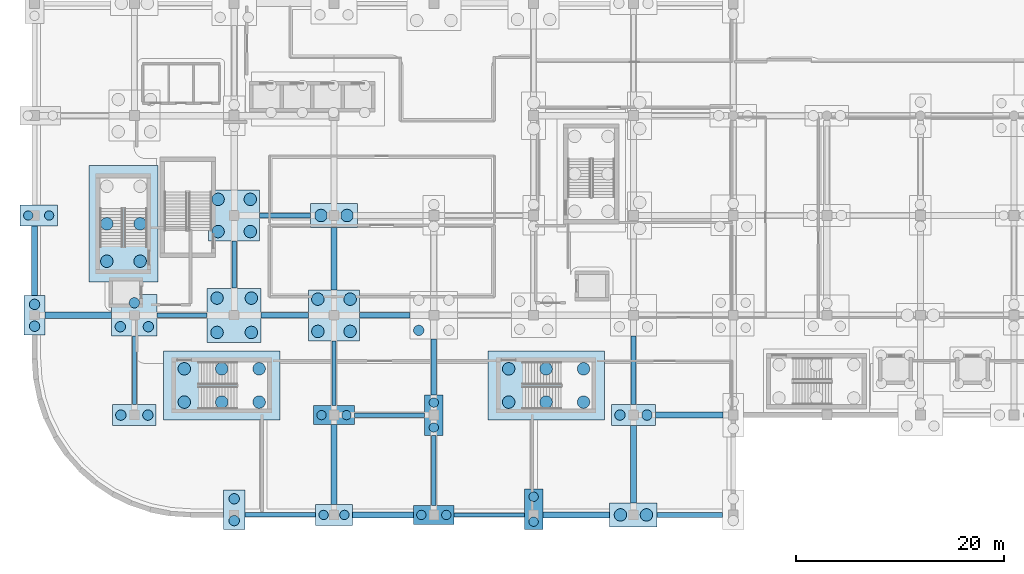
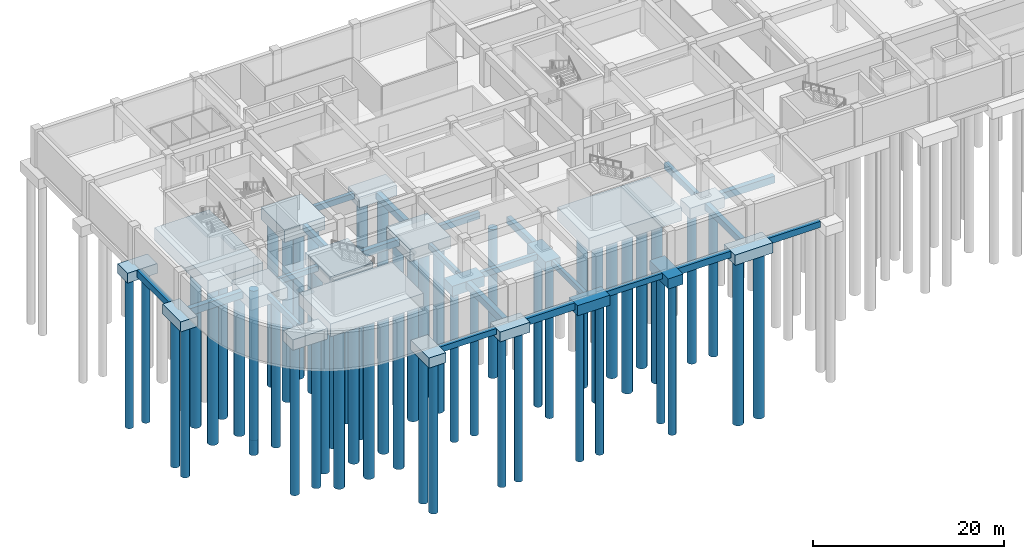
# One storey, part 1 of 47: 56 piles, 41 footings.
"""IFC4 building model written with IfcOpenShell, lengths in metres."""

from ifc_helpers import new_model, si_unit, direction, frame, origin, origin_2d, place, context, subcontext, project, spatial, rectangle, circle, extrude, material, material_profile, profile_set, type_object, element, save


model = new_model("IFC4")

# Units and contexts
model_context = context("Model", 3, precision=1e-05, world=origin(), true_north=direction((0.0, 1.0)))
body_context = subcontext(model_context, "Body", "Model", "MODEL_VIEW")
ifc_project = project(units=[si_unit("LENGTHUNIT", "METRE"), si_unit("AREAUNIT", "SQUARE_METRE"), si_unit("VOLUMEUNIT", "CUBIC_METRE"), si_unit("PLANEANGLEUNIT", "RADIAN"), si_unit("MASSUNIT", "GRAM", prefix="KILO")], contexts=[model_context])

# Site, building, storey
site_placement = place(None, origin())
site = spatial("IfcSite", under=ifc_project, at=site_placement, CompositionType="ELEMENT")
building_placement = place(site_placement, origin())
building = spatial("IfcBuilding", under=site, at=building_placement, Name="Cendralis Terraced Arcade", CompositionType="ELEMENT")
storey_placement = place(building_placement, frame((0.0, 0.0, -4.800048828125)))
storey = spatial("IfcBuildingStorey", under=building, at=storey_placement, Name="B1", CompositionType="ELEMENT", Elevation=-4.800048828125)

# Footings
ifc_material = material(Name="Concrete f'c 35 MPa", Category="concrete")
ifc_material_profile_1 = material_profile(ifc_material, rectangle(XDim=0.39990234375, YDim=0.699951171875, at=origin_2d()), Name="FB-400x700", Category="LoadBearing")
ifc_profile_set_1 = profile_set([ifc_material_profile_1], Name="Concrete f'c 35 MPa")
footing_type_1 = type_object("IfcFootingType", Name="FB-400x700", PredefinedType="FOOTING_BEAM", material=ifc_profile_set_1)
footing_1_placement = place(storey_placement, frame((40.35009765625, 0.0, -0.800048828125), z_axis=(1.0, 0.0, 0.0), x_axis=(0.0, 1.0, 0.0)))
element("IfcFooting", 1, at=footing_1_placement, inside=storey, type_object=footing_type_1, Name="Reinforced Concrete Foundation Tie Beam FB-X-0004", PredefinedType="FOOTING_BEAM", context=body_context, shape_type="SweptSolid", body=[
    extrude(rectangle(XDim=0.39990234375, YDim=0.699951171875, at=origin_2d()), origin(), (0.0, 0.0, 1.0), 6.75),
])
footing_2_placement = place(storey_placement, frame((11.800048828125, 19.199951171875, -0.800048828125), z_axis=(1.0, 0.0, 0.0), x_axis=(0.0, 1.0, 0.0)))
element("IfcFooting", 2, at=footing_2_placement, inside=storey, type_object=footing_type_1, Name="Reinforced Concrete Foundation Tie Beam FB-X-0019", PredefinedType="FOOTING_BEAM", context=body_context, shape_type="SweptSolid", body=[
    extrude(rectangle(XDim=0.39990234375, YDim=0.699951171875, at=origin_2d()), origin(), (0.0, 0.0, 1.0), 4.800048828125),
])
footing_3_placement = place(storey_placement, frame((9.60009765625, 10.60009765625, -0.800048828125), z_axis=(0.0, 1.0, 0.0), x_axis=(-1.0, 0.0, 0.0)))
element("IfcFooting", 3, at=footing_3_placement, inside=storey, type_object=footing_type_1, Name="Reinforced Concrete Foundation Tie Beam FB-Y-0159", PredefinedType="FOOTING_BEAM", context=body_context, shape_type="SweptSolid", body=[
    extrude(rectangle(XDim=0.39990234375, YDim=0.699951171875, at=origin_2d()), origin(), (0.0, 0.0, 1.0), 6.599853515625),
])
footing_4_placement = place(storey_placement, frame((28.800048828125, 10.5, -0.800048828125), z_axis=(0.0, 1.0, 0.0), x_axis=(-1.0, 0.0, 0.0)))
element("IfcFooting", 4, at=footing_4_placement, inside=storey, type_object=footing_type_1, Name="Reinforced Concrete Foundation Tie Beam FB-Y-0169", PredefinedType="FOOTING_BEAM", context=body_context, shape_type="SweptSolid", body=[
    extrude(rectangle(XDim=0.39990234375, YDim=0.699951171875, at=origin_2d()), origin(), (0.0, 0.0, 1.0), 6.25),
])
footing_5_placement = place(storey_placement, frame((38.39990234375, 0.89990234375, -0.800048828125), z_axis=(0.0, 1.0, 0.0), x_axis=(-1.0, 0.0, 0.0)))
element("IfcFooting", 5, at=footing_5_placement, inside=storey, type_object=footing_type_1, Name="Reinforced Concrete Foundation Tie Beam FB-Y-0174", PredefinedType="FOOTING_BEAM", context=body_context, shape_type="SweptSolid", body=[
    extrude(rectangle(XDim=0.39990234375, YDim=0.699951171875, at=origin_2d()), origin(), (0.0, 0.0, 1.0), 6.75),
])
ifc_material_profile_2 = material_profile(ifc_material, rectangle(XDim=0.449951171875, YDim=0.75, at=origin_2d()), Name="FB-450x750", Category="LoadBearing")
ifc_profile_set_2 = profile_set([ifc_material_profile_2], Name="Concrete f'c 35 MPa")
footing_type_2 = type_object("IfcFootingType", Name="FB-450x750", PredefinedType="FOOTING_BEAM", material=ifc_profile_set_2)
footing_6_placement = place(storey_placement, frame((20.22509765625, 0.0, -0.824951171875), z_axis=(1.0, 0.0, 0.0), x_axis=(0.0, 1.0, 0.0)))
element("IfcFooting", 6, at=footing_6_placement, inside=storey, type_object=footing_type_2, Name="Reinforced Concrete Foundation Tie Beam FB-X-0002", PredefinedType="FOOTING_BEAM", context=body_context, shape_type="SweptSolid", body=[
    extrude(rectangle(XDim=0.449951171875, YDim=0.75, at=origin_2d()), origin(), (0.0, 0.0, 1.0), 6.77490234375),
])
footing_7_placement = place(storey_placement, frame((30.75, 9.60009765625, -0.824951171875), z_axis=(1.0, 0.0, 0.0), x_axis=(0.0, 1.0, 0.0)))
element("IfcFooting", 7, at=footing_7_placement, inside=storey, type_object=footing_type_2, Name="Reinforced Concrete Foundation Tie Beam FB-X-0012", PredefinedType="FOOTING_BEAM", context=body_context, shape_type="SweptSolid", body=[
    extrude(rectangle(XDim=0.449951171875, YDim=0.75, at=origin_2d()), origin(), (0.0, 0.0, 1.0), 6.75),
])
footing_8_placement = place(storey_placement, frame((21.64990234375, 28.800048828125, -0.824951171875), z_axis=(1.0, 0.0, 0.0), x_axis=(0.0, 1.0, 0.0)))
element("IfcFooting", 8, at=footing_8_placement, inside=storey, type_object=footing_type_2, Name="Reinforced Concrete Foundation Tie Beam FB-X-0032", PredefinedType="FOOTING_BEAM", context=body_context, shape_type="SweptSolid", body=[
    extrude(rectangle(XDim=0.449951171875, YDim=0.75, at=origin_2d()), origin(), (0.0, 0.0, 1.0), 4.8701171875),
])
footing_9_placement = place(storey_placement, frame((19.199951171875, 21.800048828125, -0.824951171875), z_axis=(0.0, 1.0, 0.0), x_axis=(-1.0, 0.0, 0.0)))
element("IfcFooting", 9, at=footing_9_placement, inside=storey, type_object=footing_type_2, Name="Reinforced Concrete Foundation Tie Beam FB-Y-0162", PredefinedType="FOOTING_BEAM", context=body_context, shape_type="SweptSolid", body=[
    extrude(rectangle(XDim=0.449951171875, YDim=0.75, at=origin_2d()), origin(), (0.0, 0.0, 1.0), 4.550048828125),
])
ifc_material_profile_3 = material_profile(ifc_material, rectangle(XDim=0.5, YDim=0.800048828125, at=origin_2d()), Name="FB-500x800", Category="LoadBearing")
ifc_profile_set_3 = profile_set([ifc_material_profile_3], Name="Concrete f'c 35 MPa")
footing_type_3 = type_object("IfcFootingType", Name="FB-500x800", PredefinedType="FOOTING_BEAM", material=ifc_profile_set_3)
footing_10_placement = place(storey_placement, frame((59.8798828125, 0.0, -0.849853515625), z_axis=(1.0, 0.0, 0.0), x_axis=(0.0, 1.0, 0.0)))
element("IfcFooting", 10, at=footing_10_placement, inside=storey, type_object=footing_type_3, Name="Reinforced Concrete Foundation Tie Beam FB-X-0006", PredefinedType="FOOTING_BEAM", context=body_context, shape_type="SweptSolid", body=[
    extrude(rectangle(XDim=0.5, YDim=0.800048828125, at=origin_2d()), origin(), (0.0, 0.0, 1.0), 6.295166015625),
])
footing_11_placement = place(storey_placement, frame((31.25, 19.199951171875, -0.849853515625), z_axis=(1.0, 0.0, 0.0), x_axis=(0.0, 1.0, 0.0)))
element("IfcFooting", 11, at=footing_11_placement, inside=storey, type_object=footing_type_3, Name="Reinforced Concrete Foundation Tie Beam FB-X-0021", PredefinedType="FOOTING_BEAM", context=body_context, shape_type="SweptSolid", body=[
    extrude(rectangle(XDim=0.5, YDim=0.800048828125, at=origin_2d()), origin(), (0.0, 0.0, 1.0), 4.85009765625),
])
footing_12_placement = place(storey_placement, frame((57.60009765625, 10.60009765625, -0.849853515625), z_axis=(0.0, 1.0, 0.0), x_axis=(-1.0, 0.0, 0.0)))
element("IfcFooting", 12, at=footing_12_placement, inside=storey, type_object=footing_type_3, Name="Reinforced Concrete Foundation Tie Beam FB-Y-0191", PredefinedType="FOOTING_BEAM", context=body_context, shape_type="SweptSolid", body=[
    extrude(rectangle(XDim=0.5, YDim=0.800048828125, at=origin_2d()), origin(), (0.0, 0.0, 1.0), 6.599853515625),
])
ifc_material_profile_4 = material_profile(ifc_material, rectangle(XDim=0.550048828125, YDim=0.85009765625, at=origin_2d()), Name="FB-550x850", Category="LoadBearing")
ifc_profile_set_4 = profile_set([ifc_material_profile_4], Name="Concrete f'c 35 MPa")
footing_type_4 = type_object("IfcFootingType", Name="FB-550x850", PredefinedType="FOOTING_BEAM", material=ifc_profile_set_4)
footing_13_placement = place(storey_placement, frame((48.89990234375, 0.0, -0.875), z_axis=(1.0, 0.0, 0.0), x_axis=(0.0, 1.0, 0.0)))
element("IfcFooting", 13, at=footing_13_placement, inside=storey, type_object=footing_type_4, Name="Reinforced Concrete Foundation Tie Beam FB-X-0005", PredefinedType="FOOTING_BEAM", context=body_context, shape_type="SweptSolid", body=[
    extrude(rectangle(XDim=0.550048828125, YDim=0.85009765625, at=origin_2d()), origin(), (0.0, 0.0, 1.0), 6.420166015625),
])
footing_14_placement = place(storey_placement, frame((21.800048828125, 19.199951171875, -0.875), z_axis=(1.0, 0.0, 0.0), x_axis=(0.0, 1.0, 0.0)))
element("IfcFooting", 14, at=footing_14_placement, inside=storey, type_object=footing_type_4, Name="Reinforced Concrete Foundation Tie Beam FB-X-0020", PredefinedType="FOOTING_BEAM", context=body_context, shape_type="SweptSolid", body=[
    extrude(rectangle(XDim=0.550048828125, YDim=0.85009765625, at=origin_2d()), origin(), (0.0, 0.0, 1.0), 4.550048828125),
])
footing_15_placement = place(storey_placement, frame((0.0, 21.10009765625, -0.875), z_axis=(0.0, 1.0, 0.0), x_axis=(-1.0, 0.0, 0.0)))
element("IfcFooting", 15, at=footing_15_placement, inside=storey, type_object=footing_type_4, Name="Reinforced Concrete Foundation Tie Beam FB-Y-0155", PredefinedType="FOOTING_BEAM", context=body_context, shape_type="SweptSolid", body=[
    extrude(rectangle(XDim=0.550048828125, YDim=0.85009765625, at=origin_2d()), origin(), (0.0, 0.0, 1.0), 6.6748046875),
])
footing_16_placement = place(storey_placement, frame((28.800048828125, 21.64990234375, -0.875), z_axis=(0.0, 1.0, 0.0), x_axis=(-1.0, 0.0, 0.0)))
element("IfcFooting", 16, at=footing_16_placement, inside=storey, type_object=footing_type_4, Name="Reinforced Concrete Foundation Tie Beam FB-Y-0170", PredefinedType="FOOTING_BEAM", context=body_context, shape_type="SweptSolid", body=[
    extrude(rectangle(XDim=0.550048828125, YDim=0.85009765625, at=origin_2d()), origin(), (0.0, 0.0, 1.0), 6.0),
])
footing_17_placement = place(storey_placement, frame((38.39990234375, 11.550048828125, -0.875), z_axis=(0.0, 1.0, 0.0), x_axis=(-1.0, 0.0, 0.0)))
element("IfcFooting", 17, at=footing_17_placement, inside=storey, type_object=footing_type_4, Name="Reinforced Concrete Foundation Tie Beam FB-Y-0175", PredefinedType="FOOTING_BEAM", context=body_context, shape_type="SweptSolid", body=[
    extrude(rectangle(XDim=0.550048828125, YDim=0.85009765625, at=origin_2d()), origin(), (0.0, 0.0, 1.0), 5.349853515625),
])
footing_18_placement = place(storey_placement, frame((57.60009765625, 1.14990234375, -0.875), z_axis=(0.0, 1.0, 0.0), x_axis=(-1.0, 0.0, 0.0)))
element("IfcFooting", 18, at=footing_18_placement, inside=storey, type_object=footing_type_4, Name="Reinforced Concrete Foundation Tie Beam FB-Y-0190", PredefinedType="FOOTING_BEAM", context=body_context, shape_type="SweptSolid", body=[
    extrude(rectangle(XDim=0.550048828125, YDim=0.85009765625, at=origin_2d()), origin(), (0.0, 0.0, 1.0), 7.4501953125),
])
ifc_material_profile_5 = material_profile(ifc_material, rectangle(XDim=0.60009765625, YDim=0.89990234375, at=origin_2d()), Name="FB-600x900", Category="LoadBearing")
ifc_profile_set_5 = profile_set([ifc_material_profile_5], Name="Concrete f'c 35 MPa")
footing_type_5 = type_object("IfcFootingType", Name="FB-600x900", PredefinedType="FOOTING_BEAM", material=ifc_profile_set_5)
footing_19_placement = place(storey_placement, frame((30.60009765625, 0.0, -0.89990234375), z_axis=(1.0, 0.0, 0.0), x_axis=(0.0, 1.0, 0.0)))
element("IfcFooting", 19, at=footing_19_placement, inside=storey, type_object=footing_type_5, Name="Reinforced Concrete Foundation Tie Beam FB-X-0003", PredefinedType="FOOTING_BEAM", context=body_context, shape_type="SweptSolid", body=[
    extrude(rectangle(XDim=0.60009765625, YDim=0.89990234375, at=origin_2d()), origin(), (0.0, 0.0, 1.0), 5.849853515625),
])
footing_20_placement = place(storey_placement, frame((59.699951171875, 9.60009765625, -0.89990234375), z_axis=(1.0, 0.0, 0.0), x_axis=(0.0, 1.0, 0.0)))
element("IfcFooting", 20, at=footing_20_placement, inside=storey, type_object=footing_type_5, Name="Reinforced Concrete Foundation Tie Beam FB-X-0013", PredefinedType="FOOTING_BEAM", context=body_context, shape_type="SweptSolid", body=[
    extrude(rectangle(XDim=0.60009765625, YDim=0.89990234375, at=origin_2d()), origin(), (0.0, 0.0, 1.0), 6.5),
])
footing_21_placement = place(storey_placement, frame((1.02490234375, 19.199951171875, -0.89990234375), z_axis=(1.0, 0.0, 0.0), x_axis=(0.0, 1.0, 0.0)))
element("IfcFooting", 21, at=footing_21_placement, inside=storey, type_object=footing_type_5, Name="Reinforced Concrete Foundation Tie Beam FB-X-0018", PredefinedType="FOOTING_BEAM", context=body_context, shape_type="SweptSolid", body=[
    extrude(rectangle(XDim=0.60009765625, YDim=0.89990234375, at=origin_2d()), origin(), (0.0, 0.0, 1.0), 6.375),
])
footing_22_placement = place(storey_placement, frame((28.800048828125, 1.02490234375, -0.89990234375), z_axis=(0.0, 1.0, 0.0), x_axis=(-1.0, 0.0, 0.0)))
element("IfcFooting", 22, at=footing_22_placement, inside=storey, type_object=footing_type_5, Name="Reinforced Concrete Foundation Tie Beam FB-Y-0168", PredefinedType="FOOTING_BEAM", context=body_context, shape_type="SweptSolid", body=[
    extrude(rectangle(XDim=0.60009765625, YDim=0.89990234375, at=origin_2d()), origin(), (0.0, 0.0, 1.0), 7.675048828125),
])
footing_type_6 = type_object("IfcFootingType", Name="PC-2P-1800x3900x1300", PredefinedType="PILE_CAP", material=ifc_material)
for number, where, z_axis, x_axis, name in (
    (23, (38.39990234375, 9.60009765625, -1.75), (0.0, 0.0, 1.0), (1.0, 0.0, 0.0), "Reinforced Concrete Bored Pile Cap CAP-G5-B"),
    (24, (48.0, 0.550048828125, -1.75), (0.0, 0.0, 1.0), (1.0, 0.0, 0.0), "Reinforced Concrete Bored Pile Cap CAP-G6-A"),
):
    element("IfcFooting", number, at=place(storey_placement, frame(where, z_axis=z_axis, x_axis=x_axis)), inside=storey, type_object=footing_type_6, Name=name, PredefinedType="PILE_CAP", context=body_context, shape_type="SweptSolid", body=[
        extrude(rectangle(XDim=1.800048828125, YDim=3.89990234375, at=origin_2d()), origin(), (0.0, 0.0, 1.0), 1.300048828125),
    ])
footing_type_7 = type_object("IfcFootingType", Name="PC-2P-2050x3800x1280", PredefinedType="PILE_CAP", material=ifc_material)
for number, where, z_axis, x_axis, name in (
    (25, (0.0, 19.199951171875, -1.72998046875), (0.0, 0.0, 1.0), (1.0, 0.0, 0.0), "Reinforced Concrete Bored Pile Cap CAP-G1-C"),
    (26, (19.199951171875, 0.5, -1.72998046875), (0.0, 0.0, 1.0), (1.0, 0.0, 0.0), "Reinforced Concrete Bored Pile Cap CAP-G3-A"),
):
    element("IfcFooting", number, at=place(storey_placement, frame(where, z_axis=z_axis, x_axis=x_axis)), inside=storey, type_object=footing_type_7, Name=name, PredefinedType="PILE_CAP", context=body_context, shape_type="SweptSolid", body=[
        extrude(rectangle(XDim=2.050048828125, YDim=3.800048828125, at=origin_2d()), origin(), (0.0, 0.0, 1.0), 1.280029296875),
    ])
footing_type_8 = type_object("IfcFootingType", Name="PC-2P-3600x2050x1260", PredefinedType="PILE_CAP", material=ifc_material)
for number, where, z_axis, x_axis, name in (
    (27, (0.39990234375, 28.800048828125, -1.7099609375), (0.0, 0.0, 1.0), (1.0, 0.0, 0.0), "Reinforced Concrete Bored Pile Cap CAP-G1-D"),
    (28, (28.800048828125, 0.0, -1.7099609375), (0.0, 0.0, 1.0), (1.0, 0.0, 0.0), "Reinforced Concrete Bored Pile Cap CAP-G4-A"),
):
    element("IfcFooting", number, at=place(storey_placement, frame(where, z_axis=z_axis, x_axis=x_axis)), inside=storey, type_object=footing_type_8, Name=name, PredefinedType="PILE_CAP", context=body_context, shape_type="SweptSolid", body=[
        extrude(rectangle(XDim=3.60009765625, YDim=2.050048828125, at=origin_2d()), origin(), (0.0, 0.0, 1.0), 1.260009765625),
    ])
footing_type_9 = type_object("IfcFootingType", Name="PC-2P-3900x1800x1300", PredefinedType="PILE_CAP", material=ifc_material)
for number, where, z_axis, x_axis, name in (
    (29, (28.800048828125, 9.60009765625, -1.75), (0.0, 0.0, 1.0), (1.0, 0.0, 0.0), "Reinforced Concrete Bored Pile Cap CAP-G4-B"),
    (30, (38.39990234375, 0.0, -1.75), (0.0, 0.0, 1.0), (1.0, 0.0, 0.0), "Reinforced Concrete Bored Pile Cap CAP-G5-A"),
):
    element("IfcFooting", number, at=place(storey_placement, frame(where, z_axis=z_axis, x_axis=x_axis)), inside=storey, type_object=footing_type_9, Name=name, PredefinedType="PILE_CAP", context=body_context, shape_type="SweptSolid", body=[
        extrude(rectangle(XDim=3.89990234375, YDim=1.800048828125, at=origin_2d()), origin(), (0.0, 0.0, 1.0), 1.300048828125),
    ])
footing_type_10 = type_object("IfcFootingType", Name="PC-2P-4200x2000x1350", PredefinedType="PILE_CAP", material=ifc_material)
for number, where, z_axis, x_axis, name in (
    (31, (9.60009765625, 9.60009765625, -1.800048828125), (0.0, 0.0, 1.0), (1.0, 0.0, 0.0), "Reinforced Concrete Bored Pile Cap CAP-G2-B"),
    (32, (57.60009765625, 9.60009765625, -1.800048828125), (0.0, 0.0, 1.0), (1.0, 0.0, 0.0), "Reinforced Concrete Bored Pile Cap CAP-G7-B"),
):
    element("IfcFooting", number, at=place(storey_placement, frame(where, z_axis=z_axis, x_axis=x_axis)), inside=storey, type_object=footing_type_10, Name=name, PredefinedType="PILE_CAP", context=body_context, shape_type="SweptSolid", body=[
        extrude(rectangle(XDim=4.199951171875, YDim=2.0, at=origin_2d()), origin(), (0.0, 0.0, 1.0), 1.35009765625),
    ])
footing_type_11 = type_object("IfcFootingType", Name="PC-2P-4560x2300x1320", PredefinedType="PILE_CAP", material=ifc_material)
for number, where, z_axis, x_axis, name in (
    (33, (28.800048828125, 28.800048828125, -1.77001953125), (0.0, 0.0, 1.0), (1.0, 0.0, 0.0), "Reinforced Concrete Bored Pile Cap CAP-G4-D"),
    (34, (57.60009765625, 0.0, -1.77001953125), (0.0, 0.0, 1.0), (1.0, 0.0, 0.0), "Reinforced Concrete Bored Pile Cap CAP-G7-A"),
):
    element("IfcFooting", number, at=place(storey_placement, frame(where, z_axis=z_axis, x_axis=x_axis)), inside=storey, type_object=footing_type_11, Name=name, PredefinedType="PILE_CAP", context=body_context, shape_type="SweptSolid", body=[
        extrude(rectangle(XDim=4.56005859375, YDim=2.300048828125, at=origin_2d()), origin(), (0.0, 0.0, 1.0), 1.320068359375),
    ])
footing_type_12 = type_object("IfcFootingType", Name="PC-3P-4400x4000x1420", PredefinedType="PILE_CAP", material=ifc_material)
footing_23_placement = place(storey_placement, frame((9.60009765625, 19.199951171875, -1.869873046875), z_axis=(0.0, 0.0, 1.0), x_axis=(1.0, 0.0, 0.0)))
element("IfcFooting", 35, at=footing_23_placement, inside=storey, type_object=footing_type_12, Name="Reinforced Concrete Bored Pile Cap CAP-G2-C", PredefinedType="PILE_CAP", context=body_context, shape_type="SweptSolid", body=[
    extrude(rectangle(XDim=4.39990234375, YDim=4.0, at=origin_2d()), origin(), (0.0, 0.0, 1.0), 1.419921875),
])
footing_type_13 = type_object("IfcFootingType", Name="PC-4P-4900x4900x1560", PredefinedType="PILE_CAP", material=ifc_material)
for number, where, z_axis, x_axis, name in (
    (36, (19.199951171875, 28.800048828125, -2.010009765625), (0.0, 0.0, 1.0), (1.0, 0.0, 0.0), "Reinforced Concrete Bored Pile Cap CAP-G3-D"),
    (37, (28.800048828125, 19.199951171875, -2.010009765625), (0.0, 0.0, 1.0), (1.0, 0.0, 0.0), "Reinforced Concrete Bored Pile Cap CAP-G4-C"),
):
    element("IfcFooting", number, at=place(storey_placement, frame(where, z_axis=z_axis, x_axis=x_axis)), inside=storey, type_object=footing_type_13, Name=name, PredefinedType="PILE_CAP", context=body_context, shape_type="SweptSolid", body=[
        extrude(rectangle(XDim=4.89990234375, YDim=4.89990234375, at=origin_2d()), origin(), (0.0, 0.0, 1.0), 1.56005859375),
    ])
footing_type_14 = type_object("IfcFootingType", Name="PC-4P-5200x5200x1600", PredefinedType="PILE_CAP", material=ifc_material)
footing_24_placement = place(storey_placement, frame((19.199951171875, 19.199951171875, -2.050048828125), z_axis=(0.0, 0.0, 1.0), x_axis=(1.0, 0.0, 0.0)))
element("IfcFooting", 38, at=footing_24_placement, inside=storey, type_object=footing_type_14, Name="Reinforced Concrete Bored Pile Cap CAP-G3-C", PredefinedType="PILE_CAP", context=body_context, shape_type="SweptSolid", body=[
    extrude(rectangle(XDim=5.199951171875, YDim=5.199951171875, at=origin_2d()), origin(), (0.0, 0.0, 1.0), 1.60009765625),
])
footing_type_15 = type_object("IfcFootingType", Name="PC-CORE-11200x6600x1650", PredefinedType="PILE_CAP", material=ifc_material)
for number, where, z_axis, x_axis, name in (
    (39, (18.0, 12.449951171875, -2.099853515625), (0.0, 0.0, 1.0), (1.0, 0.0, 0.0), "Reinforced Concrete Bored Pile Cap CAP-ST-02"),
    (40, (49.199951171875, 12.449951171875, -2.099853515625), (0.0, 0.0, 1.0), (1.0, 0.0, 0.0), "Reinforced Concrete Bored Pile Cap CAP-ST-03"),
):
    element("IfcFooting", number, at=place(storey_placement, frame(where, z_axis=z_axis, x_axis=x_axis)), inside=storey, type_object=footing_type_15, Name=name, PredefinedType="PILE_CAP", context=body_context, shape_type="SweptSolid", body=[
        extrude(rectangle(XDim=11.199951171875, YDim=6.60009765625, at=origin_2d()), origin(), (0.0, 0.0, 1.0), 1.64990234375),
    ])
footing_type_16 = type_object("IfcFootingType", Name="PC-CORE-6600x11200x1650", PredefinedType="PILE_CAP", material=ifc_material)
footing_25_placement = place(storey_placement, frame((8.550048828125, 28.0, -2.099853515625), z_axis=(0.0, 0.0, 1.0), x_axis=(1.0, 0.0, 0.0)))
element("IfcFooting", 41, at=footing_25_placement, inside=storey, type_object=footing_type_16, Name="Reinforced Concrete Bored Pile Cap CAP-ST-01", PredefinedType="PILE_CAP", context=body_context, shape_type="SweptSolid", body=[
    extrude(rectangle(XDim=6.60009765625, YDim=11.199951171875, at=origin_2d()), origin(), (0.0, 0.0, 1.0), 1.64990234375),
])

# Piles
ifc_material_profile_6 = material_profile(ifc_material, circle(Radius=0.5, at=origin_2d()), Name="PILE-D1000", Category="LoadBearing")
ifc_profile_set_6 = profile_set([ifc_material_profile_6], Name="Concrete f'c 35 MPa")
pile_type_1 = type_object("IfcPileType", Name="PILE-1000", PredefinedType="BORED", material=ifc_profile_set_6)
for number, where, z_axis, x_axis, name in (
    (42, (0.0, 18.14990234375, -1.6298828125), (0.0, 0.0, -1.0), (1.0, 0.0, 0.0), "Bored Concrete Pile PILE-C-CAP-G1-C-1-0_-105"),
    (43, (0.0, 20.25, -1.6298828125), (0.0, 0.0, -1.0), (1.0, 0.0, 0.0), "Bored Concrete Pile PILE-B-CAP-G1-C-1"),
):
    element("IfcPile", number, at=place(storey_placement, frame(where, z_axis=z_axis, x_axis=x_axis)), inside=storey, type_object=pile_type_1, Name=name, PredefinedType="BORED", context=body_context, shape_type="SweptSolid", body=[
        extrude(circle(Radius=0.5, at=origin_2d()), origin(), (0.0, 0.0, 1.0), 19.27001953125),
    ])
for number, where, z_axis, x_axis, name in (
    (44, (8.300048828125, 9.60009765625, -1.699951171875), (0.0, 0.0, -1.0), (1.0, 0.0, 0.0), "Bored Concrete Pile PILE-C-CAP-G2-B-2--130_0"),
    (45, (10.89990234375, 9.60009765625, -1.699951171875), (0.0, 0.0, -1.0), (1.0, 0.0, 0.0), "Bored Concrete Pile PILE-C-CAP-G2-B-2-130_0"),
):
    element("IfcPile", number, at=place(storey_placement, frame(where, z_axis=z_axis, x_axis=x_axis)), inside=storey, type_object=pile_type_1, Name=name, PredefinedType="BORED", context=body_context, shape_type="SweptSolid", body=[
        extrude(circle(Radius=0.5, at=origin_2d()), origin(), (0.0, 0.0, 1.0), 19.199951171875),
    ])
for number, where, z_axis, x_axis, name in (
    (46, (8.25, 18.10009765625, -1.77001953125), (0.0, 0.0, -1.0), (1.0, 0.0, 0.0), "Bored Concrete Pile PILE-C-CAP-G2-C-3--135_-110"),
    (47, (10.949951171875, 18.10009765625, -1.77001953125), (0.0, 0.0, -1.0), (1.0, 0.0, 0.0), "Bored Concrete Pile PILE-C-CAP-G2-C-3-135_-110"),
    (48, (9.60009765625, 20.39990234375, -1.77001953125), (0.0, 0.0, -1.0), (1.0, 0.0, 0.0), "Bored Concrete Pile PILE-C-CAP-G2-C-3-0_120"),
):
    element("IfcPile", number, at=place(storey_placement, frame(where, z_axis=z_axis, x_axis=x_axis)), inside=storey, type_object=pile_type_1, Name=name, PredefinedType="BORED", context=body_context, shape_type="SweptSolid", body=[
        extrude(circle(Radius=0.5, at=origin_2d()), origin(), (0.0, 0.0, 1.0), 19.1298828125),
    ])
for number, where, z_axis, x_axis, name in (
    (49, (19.199951171875, -0.550048828125, -1.6298828125), (0.0, 0.0, -1.0), (1.0, 0.0, 0.0), "Bored Concrete Pile PILE-C-CAP-G3-A-1-0_-105"),
    (50, (19.199951171875, 1.550048828125, -1.6298828125), (0.0, 0.0, -1.0), (1.0, 0.0, 0.0), "Bored Concrete Pile PILE-B-CAP-G3-A-1"),
):
    element("IfcPile", number, at=place(storey_placement, frame(where, z_axis=z_axis, x_axis=x_axis)), inside=storey, type_object=pile_type_1, Name=name, PredefinedType="BORED", context=body_context, shape_type="SweptSolid", body=[
        extrude(circle(Radius=0.5, at=origin_2d()), origin(), (0.0, 0.0, 1.0), 19.27001953125),
    ])
pile_placement = place(storey_placement, frame((36.949951171875, 17.75, -1.869873046875), z_axis=(0.0, 0.0, -1.0), x_axis=(1.0, 0.0, 0.0)))
element("IfcPile", 51, at=pile_placement, inside=storey, type_object=pile_type_1, Name="Bored Concrete Pile PILE-C-CAP-G5-C-4--145_-145", PredefinedType="BORED", context=body_context, shape_type="SweptSolid", body=[
    extrude(circle(Radius=0.5, at=origin_2d()), origin(), (0.0, 0.0, 1.0), 19.030029296875),
])
for number, where, z_axis, x_axis, name in (
    (52, (56.300048828125, 9.60009765625, -1.699951171875), (0.0, 0.0, -1.0), (1.0, 0.0, 0.0), "Bored Concrete Pile PILE-C-CAP-G7-B-2--130_0"),
    (53, (58.89990234375, 9.60009765625, -1.699951171875), (0.0, 0.0, -1.0), (1.0, 0.0, 0.0), "Bored Concrete Pile PILE-C-CAP-G7-B-2-130_0"),
):
    element("IfcPile", number, at=place(storey_placement, frame(where, z_axis=z_axis, x_axis=x_axis)), inside=storey, type_object=pile_type_1, Name=name, PredefinedType="BORED", context=body_context, shape_type="SweptSolid", body=[
        extrude(circle(Radius=0.5, at=origin_2d()), origin(), (0.0, 0.0, 1.0), 19.199951171875),
    ])
ifc_material_profile_7 = material_profile(ifc_material, circle(Radius=0.60009765625, at=origin_2d()), Name="PILE-D1200", Category="LoadBearing")
ifc_profile_set_7 = profile_set([ifc_material_profile_7], Name="Concrete f'c 35 MPa")
pile_type_2 = type_object("IfcPileType", Name="PILE-1200", PredefinedType="BORED", material=ifc_profile_set_7)
for number, where, z_axis, x_axis, name in (
    (54, (6.949951171875, 24.39990234375, -2.0), (0.0, 0.0, -1.0), (1.0, 0.0, 0.0), "Bored Concrete Pile PILE-C-CAP-ST-01-6--160_-360"),
    (55, (10.14990234375, 24.39990234375, -2.0), (0.0, 0.0, -1.0), (1.0, 0.0, 0.0), "Bored Concrete Pile PILE-C-CAP-ST-01-6-160_-360"),
    (56, (6.949951171875, 28.0, -2.0), (0.0, 0.0, -1.0), (1.0, 0.0, 0.0), "Bored Concrete Pile PILE-C-CAP-ST-01-6--160_0"),
    (57, (10.14990234375, 28.0, -2.0), (0.0, 0.0, -1.0), (1.0, 0.0, 0.0), "Bored Concrete Pile PILE-C-CAP-ST-01-6-160_0"),
    (58, (14.39990234375, 10.85009765625, -2.0), (0.0, 0.0, -1.0), (1.0, 0.0, 0.0), "Bored Concrete Pile PILE-C-CAP-ST-02-6--360_-160"),
    (59, (14.39990234375, 14.050048828125, -2.0), (0.0, 0.0, -1.0), (1.0, 0.0, 0.0), "Bored Concrete Pile PILE-C-CAP-ST-02-6--360_160"),
    (60, (18.0, 10.85009765625, -2.0), (0.0, 0.0, -1.0), (1.0, 0.0, 0.0), "Bored Concrete Pile PILE-C-CAP-ST-02-6-0_-160"),
    (61, (18.0, 14.050048828125, -2.0), (0.0, 0.0, -1.0), (1.0, 0.0, 0.0), "Bored Concrete Pile PILE-C-CAP-ST-02-6-0_160"),
    (62, (21.60009765625, 10.85009765625, -2.0), (0.0, 0.0, -1.0), (1.0, 0.0, 0.0), "Bored Concrete Pile PILE-C-CAP-ST-02-6-360_-160"),
    (63, (21.60009765625, 14.050048828125, -2.0), (0.0, 0.0, -1.0), (1.0, 0.0, 0.0), "Bored Concrete Pile PILE-C-CAP-ST-02-6-360_160"),
    (64, (45.60009765625, 10.85009765625, -2.0), (0.0, 0.0, -1.0), (1.0, 0.0, 0.0), "Bored Concrete Pile PILE-C-CAP-ST-03-6--360_-160"),
    (65, (45.60009765625, 14.050048828125, -2.0), (0.0, 0.0, -1.0), (1.0, 0.0, 0.0), "Bored Concrete Pile PILE-C-CAP-ST-03-6--360_160"),
    (66, (49.199951171875, 10.85009765625, -2.0), (0.0, 0.0, -1.0), (1.0, 0.0, 0.0), "Bored Concrete Pile PILE-C-CAP-ST-03-6-0_-160"),
    (67, (49.199951171875, 14.050048828125, -2.0), (0.0, 0.0, -1.0), (1.0, 0.0, 0.0), "Bored Concrete Pile PILE-C-CAP-ST-03-6-0_160"),
    (68, (52.800048828125, 10.85009765625, -2.0), (0.0, 0.0, -1.0), (1.0, 0.0, 0.0), "Bored Concrete Pile PILE-C-CAP-ST-03-6-360_-160"),
    (69, (52.800048828125, 14.050048828125, -2.0), (0.0, 0.0, -1.0), (1.0, 0.0, 0.0), "Bored Concrete Pile PILE-C-CAP-ST-03-6-360_160"),
):
    element("IfcPile", number, at=place(storey_placement, frame(where, z_axis=z_axis, x_axis=x_axis)), inside=storey, type_object=pile_type_2, Name=name, PredefinedType="BORED", context=body_context, shape_type="SweptSolid", body=[
        extrude(circle(Radius=0.60009765625, at=origin_2d()), origin(), (0.0, 0.0, 1.0), 20.89990234375),
    ])
for number, where, z_axis, x_axis, name in (
    (70, (17.550048828125, 17.550048828125, -1.949951171875), (0.0, 0.0, -1.0), (1.0, 0.0, 0.0), "Bored Concrete Pile PILE-C-CAP-G3-C-4--165_-165"),
    (71, (20.85009765625, 17.550048828125, -1.949951171875), (0.0, 0.0, -1.0), (1.0, 0.0, 0.0), "Bored Concrete Pile PILE-C-CAP-G3-C-4-165_-165"),
    (72, (17.550048828125, 20.85009765625, -1.949951171875), (0.0, 0.0, -1.0), (1.0, 0.0, 0.0), "Bored Concrete Pile PILE-C-CAP-G3-C-4--165_165"),
    (73, (20.85009765625, 20.85009765625, -1.949951171875), (0.0, 0.0, -1.0), (1.0, 0.0, 0.0), "Bored Concrete Pile PILE-C-CAP-G3-C-4-165_165"),
):
    element("IfcPile", number, at=place(storey_placement, frame(where, z_axis=z_axis, x_axis=x_axis)), inside=storey, type_object=pile_type_2, Name=name, PredefinedType="BORED", context=body_context, shape_type="SweptSolid", body=[
        extrude(circle(Radius=0.60009765625, at=origin_2d()), origin(), (0.0, 0.0, 1.0), 20.949951171875),
    ])
for number, where, z_axis, x_axis, name in (
    (74, (17.64990234375, 27.25, -1.909912109375), (0.0, 0.0, -1.0), (1.0, 0.0, 0.0), "Bored Concrete Pile PILE-C-CAP-G3-D-4--155_-155"),
    (75, (20.75, 27.25, -1.909912109375), (0.0, 0.0, -1.0), (1.0, 0.0, 0.0), "Bored Concrete Pile PILE-C-CAP-G3-D-4-155_-155"),
    (76, (17.64990234375, 30.35009765625, -1.909912109375), (0.0, 0.0, -1.0), (1.0, 0.0, 0.0), "Bored Concrete Pile PILE-C-CAP-G3-D-4--155_155"),
    (77, (20.75, 30.35009765625, -1.909912109375), (0.0, 0.0, -1.0), (1.0, 0.0, 0.0), "Bored Concrete Pile PILE-C-CAP-G3-D-4-155_155"),
    (78, (27.25, 17.64990234375, -1.909912109375), (0.0, 0.0, -1.0), (1.0, 0.0, 0.0), "Bored Concrete Pile PILE-C-CAP-G4-C-4--155_-155"),
    (79, (30.35009765625, 17.64990234375, -1.909912109375), (0.0, 0.0, -1.0), (1.0, 0.0, 0.0), "Bored Concrete Pile PILE-C-CAP-G4-C-4-155_-155"),
    (80, (27.25, 20.75, -1.909912109375), (0.0, 0.0, -1.0), (1.0, 0.0, 0.0), "Bored Concrete Pile PILE-C-CAP-G4-C-4--155_155"),
    (81, (30.35009765625, 20.75, -1.909912109375), (0.0, 0.0, -1.0), (1.0, 0.0, 0.0), "Bored Concrete Pile PILE-C-CAP-G4-C-4-155_155"),
):
    element("IfcPile", number, at=place(storey_placement, frame(where, z_axis=z_axis, x_axis=x_axis)), inside=storey, type_object=pile_type_2, Name=name, PredefinedType="BORED", context=body_context, shape_type="SweptSolid", body=[
        extrude(circle(Radius=0.60009765625, at=origin_2d()), origin(), (0.0, 0.0, 1.0), 20.989990234375),
    ])
for number, where, z_axis, x_axis, name in (
    (82, (27.550048828125, 28.800048828125, -1.669921875), (0.0, 0.0, -1.0), (1.0, 0.0, 0.0), "Bored Concrete Pile PILE-C-CAP-G4-D-1--125_0"),
    (83, (30.050048828125, 28.800048828125, -1.669921875), (0.0, 0.0, -1.0), (1.0, 0.0, 0.0), "Bored Concrete Pile PILE-B-CAP-G4-D-1"),
    (84, (56.35009765625, 0.0, -1.669921875), (0.0, 0.0, -1.0), (1.0, 0.0, 0.0), "Bored Concrete Pile PILE-C-CAP-G7-A-1--125_0"),
    (85, (58.85009765625, 0.0, -1.669921875), (0.0, 0.0, -1.0), (1.0, 0.0, 0.0), "Bored Concrete Pile PILE-B-CAP-G7-A-1"),
):
    element("IfcPile", number, at=place(storey_placement, frame(where, z_axis=z_axis, x_axis=x_axis)), inside=storey, type_object=pile_type_2, Name=name, PredefinedType="BORED", context=body_context, shape_type="SweptSolid", body=[
        extrude(circle(Radius=0.60009765625, at=origin_2d()), origin(), (0.0, 0.0, 1.0), 21.22998046875),
    ])
ifc_material_profile_8 = material_profile(ifc_material, circle(Radius=0.449951171875, at=origin_2d()), Name="PILE-D900", Category="LoadBearing")
ifc_profile_set_8 = profile_set([ifc_material_profile_8], Name="Concrete f'c 35 MPa")
pile_type_3 = type_object("IfcPileType", Name="PILE-900", PredefinedType="BORED", material=ifc_profile_set_8)
for number, where, z_axis, x_axis, name in (
    (86, (-0.60009765625, 28.800048828125, -1.60986328125), (0.0, 0.0, -1.0), (1.0, 0.0, 0.0), "Bored Concrete Pile PILE-C-CAP-G1-D-1--100_0"),
    (87, (1.39990234375, 28.800048828125, -1.60986328125), (0.0, 0.0, -1.0), (1.0, 0.0, 0.0), "Bored Concrete Pile PILE-B-CAP-G1-D-1"),
    (88, (27.800048828125, 0.0, -1.60986328125), (0.0, 0.0, -1.0), (1.0, 0.0, 0.0), "Bored Concrete Pile PILE-C-CAP-G4-A-1--100_0"),
    (89, (29.800048828125, 0.0, -1.60986328125), (0.0, 0.0, -1.0), (1.0, 0.0, 0.0), "Bored Concrete Pile PILE-B-CAP-G4-A-1"),
):
    element("IfcPile", number, at=place(storey_placement, frame(where, z_axis=z_axis, x_axis=x_axis)), inside=storey, type_object=pile_type_3, Name=name, PredefinedType="BORED", context=body_context, shape_type="SweptSolid", body=[
        extrude(circle(Radius=0.449951171875, at=origin_2d()), origin(), (0.0, 0.0, 1.0), 19.2900390625),
    ])
for number, where, z_axis, x_axis, name in (
    (90, (27.60009765625, 9.60009765625, -1.64990234375), (0.0, 0.0, -1.0), (1.0, 0.0, 0.0), "Bored Concrete Pile PILE-C-CAP-G4-B-2--120_0"),
    (91, (30.0, 9.60009765625, -1.64990234375), (0.0, 0.0, -1.0), (1.0, 0.0, 0.0), "Bored Concrete Pile PILE-C-CAP-G4-B-2-120_0"),
    (92, (37.199951171875, 0.0, -1.64990234375), (0.0, 0.0, -1.0), (1.0, 0.0, 0.0), "Bored Concrete Pile PILE-C-CAP-G5-A-2--120_0"),
    (93, (39.60009765625, 0.0, -1.64990234375), (0.0, 0.0, -1.0), (1.0, 0.0, 0.0), "Bored Concrete Pile PILE-C-CAP-G5-A-2-120_0"),
    (94, (38.39990234375, 8.39990234375, -1.64990234375), (0.0, 0.0, -1.0), (1.0, 0.0, 0.0), "Bored Concrete Pile PILE-C-CAP-G5-B-2-0_-120"),
    (95, (38.39990234375, 10.800048828125, -1.64990234375), (0.0, 0.0, -1.0), (1.0, 0.0, 0.0), "Bored Concrete Pile PILE-C-CAP-G5-B-2-0_120"),
    (96, (48.0, -0.64990234375, -1.64990234375), (0.0, 0.0, -1.0), (1.0, 0.0, 0.0), "Bored Concrete Pile PILE-C-CAP-G6-A-2-0_-120"),
    (97, (48.0, 1.75, -1.64990234375), (0.0, 0.0, -1.0), (1.0, 0.0, 0.0), "Bored Concrete Pile PILE-C-CAP-G6-A-2-0_120"),
):
    element("IfcPile", number, at=place(storey_placement, frame(where, z_axis=z_axis, x_axis=x_axis)), inside=storey, type_object=pile_type_3, Name=name, PredefinedType="BORED", context=body_context, shape_type="SweptSolid", body=[
        extrude(circle(Radius=0.449951171875, at=origin_2d()), origin(), (0.0, 0.0, 1.0), 19.25),
    ])

save(model, "model.ifc")
